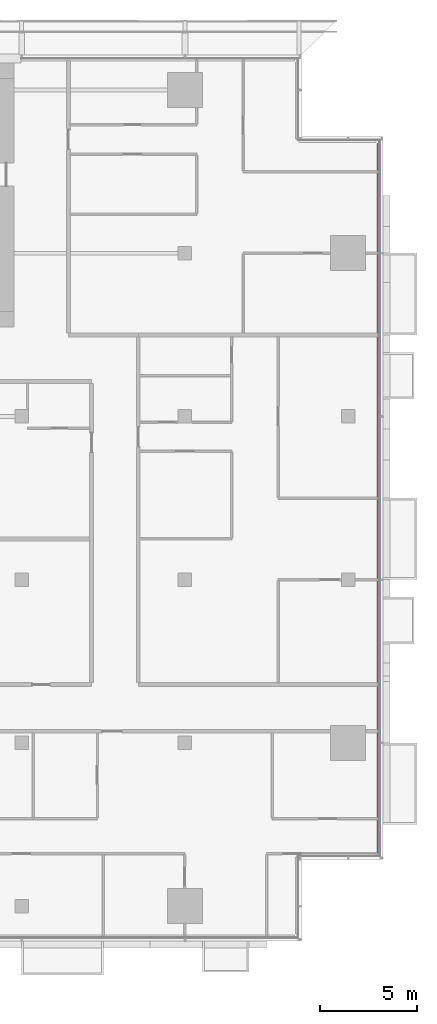
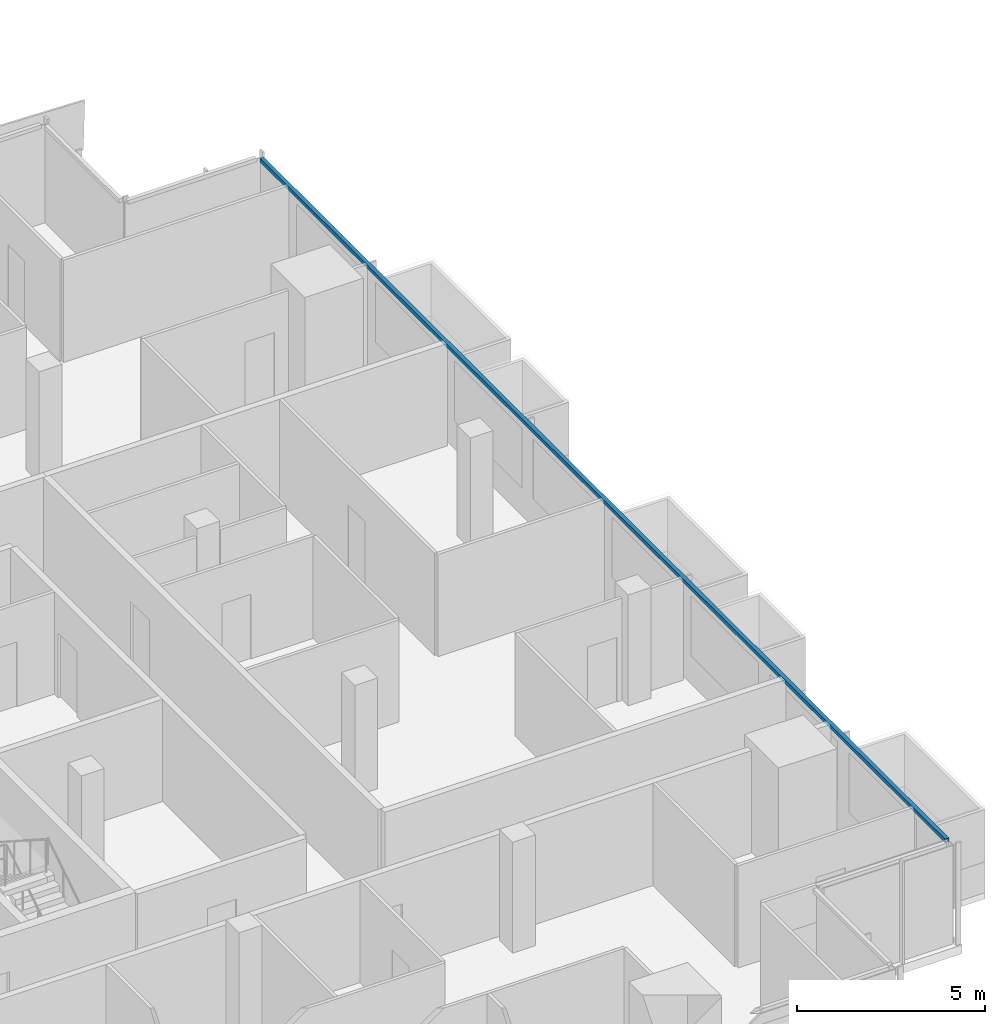
# One storey, part 12 of 31: 1 member, 1 element without a shape of its own.
"""IFC4 building model written with IfcOpenShell, lengths in metres."""

from ifc_helpers import new_model, si_unit, direction, frame, origin, origin_2d, place, context, subcontext, project, spatial, rectangle, extrude, material, material_profile, profile_set, type_object, element, aggregate, save


model = new_model("IFC4")

# Units and contexts
model_context = context("Model", 3, precision=1e-05, world=origin(), true_north=direction((0.0, 1.0)))
body_context = subcontext(model_context, "Body", "Model", "MODEL_VIEW")
ifc_project = project(units=[si_unit("LENGTHUNIT", "METRE"), si_unit("AREAUNIT", "SQUARE_METRE"), si_unit("VOLUMEUNIT", "CUBIC_METRE"), si_unit("PLANEANGLEUNIT", "RADIAN"), si_unit("MASSUNIT", "GRAM", prefix="KILO")], contexts=[model_context])

# Site, building, storey
site_placement = place(None, origin())
site = spatial("IfcSite", under=ifc_project, at=site_placement, CompositionType="ELEMENT")
building_placement = place(site_placement, origin())
building = spatial("IfcBuilding", under=site, at=building_placement, Name="Saffron Gate Tower", CompositionType="ELEMENT")
storey_placement = place(building_placement, frame((0.0, 0.0, 147.449951171875)))
storey = spatial("IfcBuildingStorey", under=building, at=storey_placement, Name="L35", CompositionType="ELEMENT", Elevation=147.449951171875)

# Curtain wall, member
ifc_material = material(Name="Aluminium, bronze anodised", Category="aluminium")
curtain_wall_type = type_object("IfcCurtainWallType", Name="CWS2 curtain wall side facades", PredefinedType="NOTDEFINED", material=ifc_material)
curtain_wall_placement = place(storey_placement, origin())
curtain_wall = element("IfcCurtainWall", 1, at=curtain_wall_placement, inside=storey, type_object=curtain_wall_type, Name="CWS2 run 4", PredefinedType="NOTDEFINED")
ifc_material_profile = material_profile(ifc_material, rectangle(XDim=0.1201171875, YDim=0.1201171875, at=origin_2d()))
ifc_profile_set = profile_set([ifc_material_profile], Name="Aluminium, bronze anodised")
member_type = type_object("IfcMemberType", Name="CWS2 head transom", PredefinedType="USERDEFINED", material=ifc_profile_set)
member_placement = place(storey_placement, frame((126.951904296875, 34.568115234375, 3.260009765625), z_axis=(0.0, 1.0, 0.0), x_axis=(-1.0, 0.0, 0.0)))
member = element("IfcMember", 2, at=member_placement, type_object=member_type, Name="CWS2 head transom", ObjectType="TRANSOM", PredefinedType="USERDEFINED", context=body_context, shape_type="SweptSolid", body=[
    extrude(rectangle(XDim=0.1201171875, YDim=0.1201171875, at=origin_2d()), origin(), (0.0, 0.0, 1.0), 36.4638671875),
])
aggregate(curtain_wall, [member])

save(model, "model.ifc")
